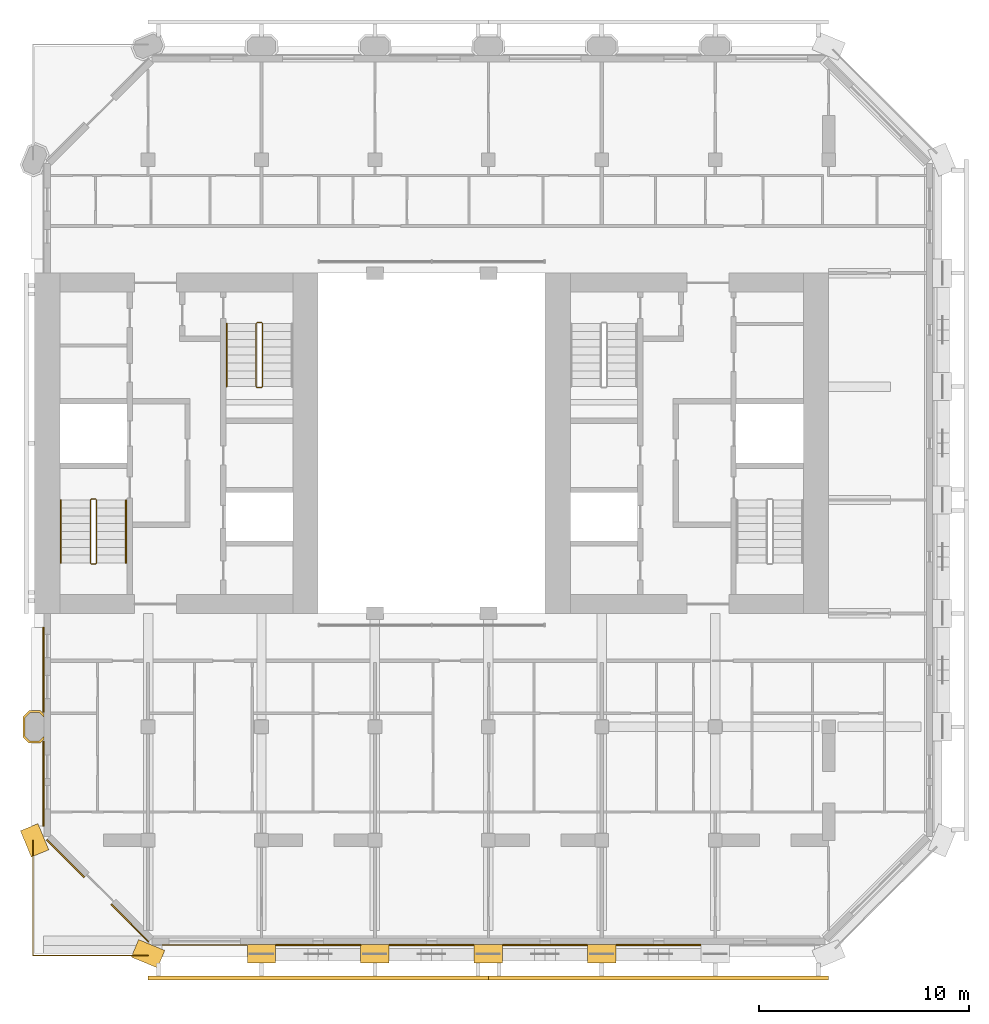
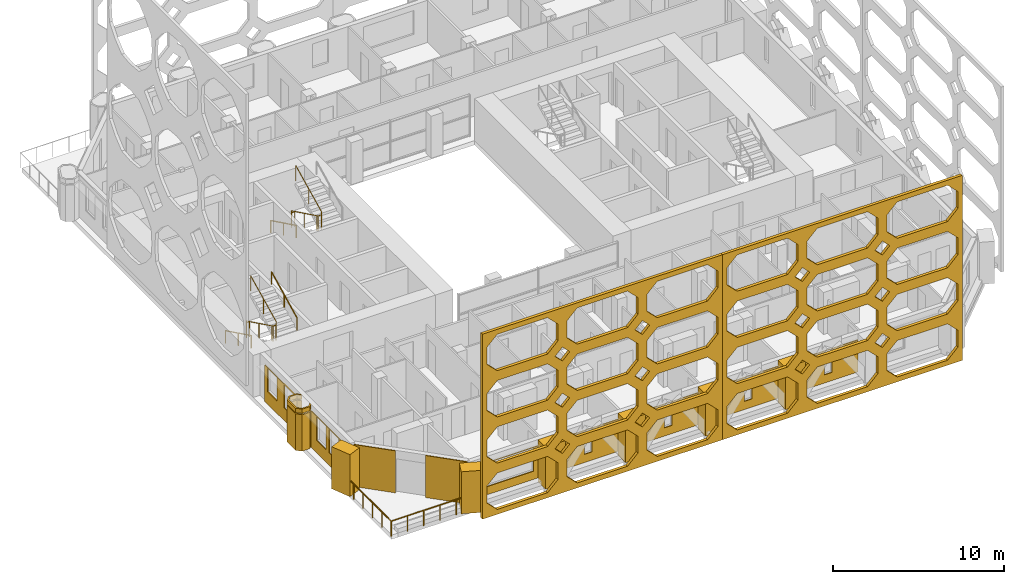
# One storey, part 13 of 15: 19 coverings, 6 railings.
"""IFC4 building model written with IfcOpenShell, lengths in metres."""

from ifc_helpers import new_model, si_unit, direction, frame, frame_2d, origin, origin_2d, place, context, subcontext, project, spatial, polyline, rectangle, circle, outline, extrude, material, layer, layer_set, type_object, element, save


model = new_model("IFC4")

# Units and contexts
model_context = context("Model", 3, precision=1e-05, world=origin(), true_north=direction((0.0, 1.0)))
body_context = subcontext(model_context, "Body", "Model", "MODEL_VIEW")
ifc_project = project(units=[si_unit("LENGTHUNIT", "METRE"), si_unit("AREAUNIT", "SQUARE_METRE"), si_unit("VOLUMEUNIT", "CUBIC_METRE"), si_unit("PLANEANGLEUNIT", "RADIAN"), si_unit("MASSUNIT", "GRAM", prefix="KILO")], contexts=[model_context])

# Site, building, storey
site_placement = place(None, origin())
site = spatial("IfcSite", under=ifc_project, at=site_placement, CompositionType="ELEMENT")
building_placement = place(site_placement, origin())
building = spatial("IfcBuilding", under=site, at=building_placement, Name="Tabaq Tower and Sports Hall", CompositionType="ELEMENT")
storey_placement = place(building_placement, frame((0.0, 0.0, 265.300048828125)))
storey = spatial("IfcBuildingStorey", under=building, at=storey_placement, Name="L64", CompositionType="ELEMENT", Elevation=265.300048828125)

# Coverings
ifc_material_1 = material(Name="Precast concrete C60/75", Category="concrete")
ifc_layer_1 = layer(ifc_material_1, 0.10009765625)
ifc_layer_set_1 = layer_set([ifc_layer_1], Name="Column cladding 100")
covering_type_1 = type_object("IfcCoveringType", Name="Column cladding 100", PredefinedType="CLADDING", material=ifc_layer_set_1)
covering_1_placement = place(storey_placement, origin())
element("IfcCovering", 1, at=covering_1_placement, inside=storey, type_object=covering_type_1, Name="Column cladding L64 PC-2C-R1", PredefinedType="CLADDING", context=body_context, shape_type="SweptSolid", body=[
    extrude(outline(polyline([(5.1337890625, 10.025390625), (4.850341796875, 10.30859375), (4.850341796875, 11.291259765625), (5.1337890625, 11.57470703125), (5.666259765625, 11.57470703125), (5.849609375, 11.391357421875), (5.849609375, 11.250732421875), (5.625244140625, 11.475341796875), (5.1748046875, 11.475341796875), (4.94970703125, 11.250244140625), (4.94970703125, 10.349853515625), (5.1748046875, 10.124755859375), (5.625244140625, 10.124755859375), (5.849609375, 10.349365234375), (5.849609375, 10.208740234375), (5.666259765625, 10.025390625), (5.1337890625, 10.025390625)])), origin(), (0.0, 0.0, 1.0), 2.599853515625),
])
covering_2_placement = place(storey_placement, frame((0.0, 0.0, 2.699951171875)))
element("IfcCovering", 2, at=covering_2_placement, inside=storey, type_object=covering_type_1, Name="Column cladding L64 PC-2C-R1 2", PredefinedType="CLADDING", context=body_context, shape_type="SweptSolid", body=[
    extrude(outline(polyline([(5.1337890625, 10.025390625), (4.850341796875, 10.30859375), (4.850341796875, 11.291259765625), (5.1337890625, 11.57470703125), (5.666259765625, 11.57470703125), (5.849609375, 11.391357421875), (5.849609375, 11.250732421875), (5.625244140625, 11.475341796875), (5.1748046875, 11.475341796875), (4.94970703125, 11.250244140625), (4.94970703125, 10.349853515625), (5.1748046875, 10.124755859375), (5.625244140625, 10.124755859375), (5.849609375, 10.349365234375), (5.849609375, 10.208740234375), (5.666259765625, 10.025390625), (5.1337890625, 10.025390625)])), origin(), (0.0, 0.0, 1.0), 0.300048828125),
])

# Railing
ifc_material_2 = material(Name="Stainless steel S316 and laminated glass", Category="steel")
railing_type_1 = type_object("IfcRailingType", Name="Guard 1100 steel and glass", PredefinedType="GUARDRAIL", material=ifc_material_2)
railing_1_placement = place(storey_placement, frame((10.800048828125, -0.080078125, 0.0)))
element("IfcRailing", 3, at=railing_1_placement, inside=storey, type_object=railing_type_1, Name="Terrace guard L64", PredefinedType="GUARDRAIL", context=body_context, shape_type="SweptSolid", body=[
    extrude(circle(Radius=0.02490234375, at=origin_2d()), frame((0.0, 0.0, 1.0751953125), z_axis=(-1.0, 0.0, 0.0), x_axis=(0.0, -1.0, 0.0)), (0.0, 0.0, 1.0), 5.47998046875),
    extrude(circle(Radius=0.02490234375, at=origin_2d()), frame((-5.47998046875, 0.0, 1.0751953125), z_axis=(0.0, 1.0, 0.0), x_axis=(-1.0, 0.0, 0.0)), (0.0, 0.0, 1.0), 5.47998046875),
    extrude(circle(Radius=0.02001953125, at=origin_2d()), origin(), (0.0, 0.0, 1.0), 1.050048828125),
    extrude(circle(Radius=0.02001953125, at=origin_2d()), frame((-1.095947265625, 0.0, 0.0)), (0.0, 0.0, 1.0), 1.050048828125),
    extrude(circle(Radius=0.02001953125, at=origin_2d()), frame((-2.19189453125, 0.0, 0.0)), (0.0, 0.0, 1.0), 1.050048828125),
    extrude(circle(Radius=0.02001953125, at=origin_2d()), frame((-3.2880859375, 0.0, 0.0)), (0.0, 0.0, 1.0), 1.050048828125),
    extrude(circle(Radius=0.02001953125, at=origin_2d()), frame((-4.384033203125, 0.0, 0.0)), (0.0, 0.0, 1.0), 1.050048828125),
    extrude(circle(Radius=0.02001953125, at=origin_2d()), frame((-5.47998046875, 0.0, 0.0)), (0.0, 0.0, 1.0), 1.050048828125),
    extrude(circle(Radius=0.02001953125, at=origin_2d()), frame((-5.47998046875, 1.095947265625, 0.0)), (0.0, 0.0, 1.0), 1.050048828125),
    extrude(circle(Radius=0.02001953125, at=origin_2d()), frame((-5.47998046875, 2.19189453125, 0.0)), (0.0, 0.0, 1.0), 1.050048828125),
    extrude(circle(Radius=0.02001953125, at=origin_2d()), frame((-5.47998046875, 3.2880859375, 0.0)), (0.0, 0.0, 1.0), 1.050048828125),
    extrude(circle(Radius=0.02001953125, at=origin_2d()), frame((-5.47998046875, 4.384033203125, 0.0)), (0.0, 0.0, 1.0), 1.050048828125),
    extrude(circle(Radius=0.02001953125, at=origin_2d()), frame((-5.47998046875, 5.47998046875, 0.0)), (0.0, 0.0, 1.0), 1.050048828125),
])

# Coverings
ifc_material_3 = material(Name="White precast concrete C60/75", Category="concrete")
covering_type_2 = type_object("IfcCoveringType", Name="Pier cladding hung 1350x900", PredefinedType="CLADDING", material=ifc_material_3)
for number, where, z_axis, x_axis, name in (
    (4, (5.1416015625, 6.023681640625, 0.0), (0.0, 0.0, 1.0), (0.382649923473, -0.923893411637, 0.0), "Hung pier cladding 1/1"),
    (5, (10.17626953125, 0.25830078125, 0.0), (0.0, 0.0, 1.0), (0.923893411637, -0.382649923473, 0.0), "Hung pier cladding 2/0"),
    (6, (15.52490234375, 0.0, 0.0), (0.0, 0.0, 1.0), (1.0, 0.0, 0.0), "Hung pier cladding 3/0"),
):
    element("IfcCovering", number, at=place(storey_placement, frame(where, z_axis=z_axis, x_axis=x_axis)), inside=storey, type_object=covering_type_2, Name=name, PredefinedType="CLADDING", context=body_context, shape_type="SweptSolid", body=[
        extrude(rectangle(XDim=1.35009765625, YDim=0.89990234375, at=frame_2d((0.675048828125, 0.0))), origin(), (0.0, 0.0, 1.0), 3.0),
    ])
covering_3_placement = place(storey_placement, frame((20.925048828125, 0.0, 0.0), z_axis=(0.0, 0.0, 1.0), x_axis=(1.0, 0.0, 0.0)))
element("IfcCovering", 7, at=covering_3_placement, inside=storey, type_object=covering_type_2, Name="Hung pier cladding 4/0", PredefinedType="CLADDING", context=body_context, shape_type="SweptSolid", body=[
    extrude(rectangle(XDim=1.349853515625, YDim=0.89990234375, at=frame_2d((0.6748046875, 0.0))), origin(), (0.0, 0.0, 1.0), 3.0),
])
covering_4_placement = place(storey_placement, frame((26.324951171875, 0.0, 0.0), z_axis=(0.0, 0.0, 1.0), x_axis=(1.0, 0.0, 0.0)))
element("IfcCovering", 8, at=covering_4_placement, inside=storey, type_object=covering_type_2, Name="Hung pier cladding 5/0", PredefinedType="CLADDING", context=body_context, shape_type="SweptSolid", body=[
    extrude(rectangle(XDim=1.35009765625, YDim=0.89990234375, at=frame_2d((0.675048828125, 0.0))), origin(), (0.0, 0.0, 1.0), 3.0),
])
covering_5_placement = place(storey_placement, frame((31.72509765625, 0.0, 0.0), z_axis=(0.0, 0.0, 1.0), x_axis=(1.0, 0.0, 0.0)))
element("IfcCovering", 9, at=covering_5_placement, inside=storey, type_object=covering_type_2, Name="Hung pier cladding 6/0", PredefinedType="CLADDING", context=body_context, shape_type="SweptSolid", body=[
    extrude(rectangle(XDim=1.349853515625, YDim=0.89990234375, at=frame_2d((0.6748046875, 0.0))), origin(), (0.0, 0.0, 1.0), 3.0),
])

# Railings
ifc_material_4 = material(Name="Stainless steel", Category="steel")
railing_type_2 = type_object("IfcRailingType", Name="Stair guard", PredefinedType="GUARDRAIL", material=ifc_material_4)
railing_2_placement = place(storey_placement, frame((8.300048828125, 21.64990234375, 0.0)))
element("IfcRailing", 10, at=railing_2_placement, inside=storey, type_object=railing_type_2, Name="L64 ST1 stair guard 1", PredefinedType="GUARDRAIL", context=body_context, shape_type="SweptSolid", body=[
    extrude(circle(Radius=0.02392578125, at=origin_2d()), frame((0.0, 0.0, 1.076171875), z_axis=(-1.0, 0.0, 0.0), x_axis=(0.0, -1.0, 0.0)), (0.0, 0.0, 1.0), 0.199951171875),
    extrude(circle(Radius=0.02392578125, at=origin_2d()), frame((-0.199951171875, 0.0, 1.076171875), z_axis=(-0.254733673405, -0.25349107012, 0.933195066962), x_axis=(0.705375805398, -0.708833529934, 0.0)), (0.0, 0.0, 1.0), 0.196533203125),
    extrude(circle(Radius=0.02392578125, at=origin_2d()), frame((-0.25, -0.0498046875, 1.25927734375), z_axis=(0.0, -0.898397823093, 0.439182594671), x_axis=(1.0, 0.0, 0.0)), (0.0, 0.0, 1.0), 3.33935546875),
    extrude(circle(Radius=0.02392578125, at=origin_2d()), frame((-0.25, -3.0498046875, 2.72607421875), z_axis=(0.707106781187, -0.707106781187, 0.0), x_axis=(0.707106781187, 0.707106781187, 0.0)), (0.0, 0.0, 1.0), 0.07080078125),
    extrude(circle(Radius=0.02392578125, at=origin_2d()), frame((-0.199951171875, -3.099853515625, 2.72607421875), z_axis=(1.0, 0.0, 0.0), x_axis=(0.0, 1.0, 0.0)), (0.0, 0.0, 1.0), 0.199951171875),
    extrude(circle(Radius=0.02392578125, at=origin_2d()), frame((0.0, -3.099853515625, 2.72607421875), z_axis=(0.254653276557, 0.254653276557, 0.932900539971), x_axis=(-0.707106781187, 0.707106781187, 0.0)), (0.0, 0.0, 1.0), 0.196533203125),
    extrude(circle(Radius=0.02392578125, at=origin_2d()), frame((0.050048828125, -3.0498046875, 2.9091796875), z_axis=(0.0, 0.898368975038, 0.439241601728), x_axis=(-1.0, 0.0, 0.0)), (0.0, 0.0, 1.0), 3.33935546875),
    extrude(circle(Radius=0.02099609375, at=origin_2d()), origin(), (0.0, 0.0, 1.0), 1.052001953125),
    extrude(circle(Radius=0.02099609375, at=origin_2d()), frame((-0.199951171875, 0.0, 0.0)), (0.0, 0.0, 1.0), 1.052001953125),
    extrude(circle(Radius=0.02099609375, at=origin_2d()), frame((-0.25, -0.0498046875, 0.183349609375)), (0.0, 0.0, 1.0), 1.052001953125),
    extrude(circle(Radius=0.02099609375, at=origin_2d()), frame((-0.25, -1.5498046875, 0.91650390625)), (0.0, 0.0, 1.0), 1.052001953125),
    extrude(circle(Radius=0.02099609375, at=origin_2d()), frame((-0.25, -3.0498046875, 1.64990234375)), (0.0, 0.0, 1.0), 1.052001953125),
    extrude(circle(Radius=0.02099609375, at=origin_2d()), frame((-0.199951171875, -3.099853515625, 1.64990234375)), (0.0, 0.0, 1.0), 1.052001953125),
    extrude(circle(Radius=0.02099609375, at=origin_2d()), frame((0.0, -3.099853515625, 1.64990234375)), (0.0, 0.0, 1.0), 1.052001953125),
    extrude(circle(Radius=0.02099609375, at=origin_2d()), frame((0.050048828125, -3.0498046875, 1.833251953125)), (0.0, 0.0, 1.0), 1.052001953125),
    extrude(circle(Radius=0.02099609375, at=origin_2d()), frame((0.050048828125, -1.5498046875, 2.566650390625)), (0.0, 0.0, 1.0), 1.052001953125),
    extrude(circle(Radius=0.02099609375, at=origin_2d()), frame((0.050048828125, -0.0498046875, 3.300048828125)), (0.0, 0.0, 1.0), 1.052001953125),
])
railing_3_placement = place(storey_placement, frame((16.199951171875, 30.050048828125, 0.0)))
element("IfcRailing", 11, at=railing_3_placement, inside=storey, type_object=railing_type_2, Name="L64 ST2 stair guard 1", PredefinedType="GUARDRAIL", context=body_context, shape_type="SweptSolid", body=[
    extrude(circle(Radius=0.02392578125, at=origin_2d()), frame((0.0, 0.0, 1.076171875), z_axis=(-1.0, 0.0, 0.0), x_axis=(0.0, -1.0, 0.0)), (0.0, 0.0, 1.0), 0.199951171875),
    extrude(circle(Radius=0.02392578125, at=origin_2d()), frame((-0.199951171875, 0.0, 1.076171875), z_axis=(-0.254653276557, -0.254653276557, 0.932900539971), x_axis=(0.707106781187, -0.707106781187, 0.0)), (0.0, 0.0, 1.0), 0.196533203125),
    extrude(circle(Radius=0.02392578125, at=origin_2d()), frame((-0.25, -0.050048828125, 1.25927734375), z_axis=(0.0, -0.898397823093, 0.439182594671), x_axis=(1.0, 0.0, 0.0)), (0.0, 0.0, 1.0), 3.33935546875),
    extrude(circle(Radius=0.02392578125, at=origin_2d()), frame((-0.25, -3.050048828125, 2.72607421875), z_axis=(0.707106781187, -0.707106781187, 0.0), x_axis=(0.707106781187, 0.707106781187, 0.0)), (0.0, 0.0, 1.0), 0.07080078125),
    extrude(circle(Radius=0.02392578125, at=origin_2d()), frame((-0.199951171875, -3.10009765625, 2.72607421875), z_axis=(1.0, 0.0, 0.0), x_axis=(0.0, 1.0, 0.0)), (0.0, 0.0, 1.0), 0.199951171875),
    extrude(circle(Radius=0.02392578125, at=origin_2d()), frame((0.0, -3.10009765625, 2.72607421875), z_axis=(0.254653276557, 0.254653276557, 0.932900539971), x_axis=(-0.707106781187, 0.707106781187, 0.0)), (0.0, 0.0, 1.0), 0.196533203125),
    extrude(circle(Radius=0.02392578125, at=origin_2d()), frame((0.050048828125, -3.050048828125, 2.9091796875), z_axis=(0.0, 0.898368975038, 0.439241601728), x_axis=(-1.0, 0.0, 0.0)), (0.0, 0.0, 1.0), 3.33935546875),
    extrude(circle(Radius=0.02099609375, at=origin_2d()), origin(), (0.0, 0.0, 1.0), 1.052001953125),
    extrude(circle(Radius=0.02099609375, at=origin_2d()), frame((-0.199951171875, 0.0, 0.0)), (0.0, 0.0, 1.0), 1.052001953125),
    extrude(circle(Radius=0.02099609375, at=origin_2d()), frame((-0.25, -0.050048828125, 0.183349609375)), (0.0, 0.0, 1.0), 1.052001953125),
    extrude(circle(Radius=0.02099609375, at=origin_2d()), frame((-0.25, -1.550048828125, 0.91650390625)), (0.0, 0.0, 1.0), 1.052001953125),
    extrude(circle(Radius=0.02099609375, at=origin_2d()), frame((-0.25, -3.050048828125, 1.64990234375)), (0.0, 0.0, 1.0), 1.052001953125),
    extrude(circle(Radius=0.02099609375, at=origin_2d()), frame((-0.199951171875, -3.10009765625, 1.64990234375)), (0.0, 0.0, 1.0), 1.052001953125),
    extrude(circle(Radius=0.02099609375, at=origin_2d()), frame((0.0, -3.10009765625, 1.64990234375)), (0.0, 0.0, 1.0), 1.052001953125),
    extrude(circle(Radius=0.02099609375, at=origin_2d()), frame((0.050048828125, -3.050048828125, 1.833251953125)), (0.0, 0.0, 1.0), 1.052001953125),
    extrude(circle(Radius=0.02099609375, at=origin_2d()), frame((0.050048828125, -1.550048828125, 2.566650390625)), (0.0, 0.0, 1.0), 1.052001953125),
    extrude(circle(Radius=0.02099609375, at=origin_2d()), frame((0.050048828125, -0.050048828125, 3.300048828125)), (0.0, 0.0, 1.0), 1.052001953125),
])
ifc_material_5 = material(Name="Stainless steel", Category="steel")
railing_type_3 = type_object("IfcRailingType", Name="Stair handrail", PredefinedType="HANDRAIL", material=ifc_material_5)
railing_4_placement = place(storey_placement, frame((6.64990234375, 21.60009765625, 0.183349609375)))
element("IfcRailing", 12, at=railing_4_placement, inside=storey, type_object=railing_type_3, Name="L64 ST1 stair handrail 1", PredefinedType="HANDRAIL", context=body_context, shape_type="SweptSolid", body=[
    extrude(circle(Radius=0.02392578125, at=origin_2d()), frame((0.0, 0.0, 0.8759765625), z_axis=(0.0, -0.898397823093, 0.439182594671), x_axis=(1.0, 0.0, 0.0)), (0.0, 0.0, 1.0), 3.33935546875),
    extrude(circle(Radius=0.02099609375, at=origin_2d()), origin(), (0.0, 0.0, 1.0), 0.851806640625),
    extrude(circle(Radius=0.02099609375, at=origin_2d()), frame((0.0, -1.5, 0.7333984375)), (0.0, 0.0, 1.0), 0.851806640625),
    extrude(circle(Radius=0.02099609375, at=origin_2d()), frame((0.0, -3.0, 1.466552734375)), (0.0, 0.0, 1.0), 0.851806640625),
])
railing_5_placement = place(storey_placement, frame((9.75, 18.60009765625, 1.833251953125)))
element("IfcRailing", 13, at=railing_5_placement, inside=storey, type_object=railing_type_3, Name="L64 ST1 stair handrail 2", PredefinedType="HANDRAIL", context=body_context, shape_type="SweptSolid", body=[
    extrude(circle(Radius=0.02392578125, at=origin_2d()), frame((0.0, 0.0, 0.8759765625), z_axis=(0.0, 0.898368975038, 0.439241601728), x_axis=(-1.0, 0.0, 0.0)), (0.0, 0.0, 1.0), 3.33935546875),
    extrude(circle(Radius=0.02099609375, at=origin_2d()), origin(), (0.0, 0.0, 1.0), 0.851806640625),
    extrude(circle(Radius=0.02099609375, at=origin_2d()), frame((0.0, 1.5, 0.7333984375)), (0.0, 0.0, 1.0), 0.851806640625),
    extrude(circle(Radius=0.02099609375, at=origin_2d()), frame((0.0, 3.0, 1.466796875)), (0.0, 0.0, 1.0), 0.851806640625),
])
railing_6_placement = place(storey_placement, frame((14.550048828125, 30.0, 0.183349609375)))
element("IfcRailing", 14, at=railing_6_placement, inside=storey, type_object=railing_type_3, Name="L64 ST2 stair handrail 1", PredefinedType="HANDRAIL", context=body_context, shape_type="SweptSolid", body=[
    extrude(circle(Radius=0.02392578125, at=origin_2d()), frame((0.0, 0.0, 0.8759765625), z_axis=(0.0, -0.898397823093, 0.439182594671), x_axis=(1.0, 0.0, 0.0)), (0.0, 0.0, 1.0), 3.33935546875),
    extrude(circle(Radius=0.02099609375, at=origin_2d()), origin(), (0.0, 0.0, 1.0), 0.851806640625),
    extrude(circle(Radius=0.02099609375, at=origin_2d()), frame((0.0, -1.5, 0.7333984375)), (0.0, 0.0, 1.0), 0.851806640625),
    extrude(circle(Radius=0.02099609375, at=origin_2d()), frame((0.0, -3.0, 1.466552734375)), (0.0, 0.0, 1.0), 0.851806640625),
])

# Coverings
ifc_material_6 = material(Name="White precast concrete C60/75 pierced screen", Category="concrete")
ifc_layer_2 = layer(ifc_material_6, 0.199951171875)
ifc_layer_set_2 = layer_set([ifc_layer_2], Name="TRACERY SCREEN 200 C60/75")
covering_type_3 = type_object("IfcCoveringType", Name="TRACERY SCREEN 200 C60/75", PredefinedType="CLADDING", material=ifc_layer_set_2)
covering_6_placement = place(storey_placement, frame((10.800048828125, -1.14990234375, 0.0), z_axis=(0.0, 0.0, 1.0), x_axis=(1.0, 0.0, 0.0)))
element("IfcCovering", 15, at=covering_6_placement, inside=storey, type_object=covering_type_3, Name="Tracery screen R1 S L64-L67", PredefinedType="CLADDING", context=body_context, shape_type="SweptSolid", body=[
    extrude(outline(polyline([(0.0, 0.0), (16.199951171875, 0.0), (16.199951171875, 13.199951171875), (0.0, 13.199951171875), (0.0, 0.0)]), holes=[polyline([(1.0, 0.349853515625), (4.39990234375, 0.349853515625), (5.10009765625, 1.050048828125), (5.10009765625, 2.25), (4.39990234375, 2.949951171875), (1.0, 2.949951171875), (0.300048828125, 2.25), (0.300048828125, 1.050048828125), (1.0, 0.349853515625)]), polyline([(6.39990234375, 0.349853515625), (9.800048828125, 0.349853515625), (10.5, 1.050048828125), (10.5, 2.25), (9.800048828125, 2.949951171875), (6.39990234375, 2.949951171875), (5.699951171875, 2.25), (5.699951171875, 1.050048828125), (6.39990234375, 0.349853515625)]), polyline([(11.800048828125, 0.349853515625), (15.199951171875, 0.349853515625), (15.89990234375, 1.050048828125), (15.89990234375, 2.25), (15.199951171875, 2.949951171875), (11.800048828125, 2.949951171875), (11.10009765625, 2.25), (11.10009765625, 1.050048828125), (11.800048828125, 0.349853515625)]), polyline([(1.0, 3.64990234375), (4.39990234375, 3.64990234375), (5.10009765625, 4.349853515625), (5.10009765625, 5.550048828125), (4.39990234375, 6.25), (1.0, 6.25), (0.300048828125, 5.550048828125), (0.300048828125, 4.349853515625), (1.0, 3.64990234375)]), polyline([(6.39990234375, 3.64990234375), (9.800048828125, 3.64990234375), (10.5, 4.349853515625), (10.5, 5.550048828125), (9.800048828125, 6.25), (6.39990234375, 6.25), (5.699951171875, 5.550048828125), (5.699951171875, 4.349853515625), (6.39990234375, 3.64990234375)]), polyline([(11.800048828125, 3.64990234375), (15.199951171875, 3.64990234375), (15.89990234375, 4.349853515625), (15.89990234375, 5.550048828125), (15.199951171875, 6.25), (11.800048828125, 6.25), (11.10009765625, 5.550048828125), (11.10009765625, 4.349853515625), (11.800048828125, 3.64990234375)]), polyline([(1.0, 6.949951171875), (4.39990234375, 6.949951171875), (5.10009765625, 7.64990234375), (5.10009765625, 8.849853515625), (4.39990234375, 9.550048828125), (1.0, 9.550048828125), (0.300048828125, 8.849853515625), (0.300048828125, 7.64990234375), (1.0, 6.949951171875)]), polyline([(6.39990234375, 6.949951171875), (9.800048828125, 6.949951171875), (10.5, 7.64990234375), (10.5, 8.849853515625), (9.800048828125, 9.550048828125), (6.39990234375, 9.550048828125), (5.699951171875, 8.849853515625), (5.699951171875, 7.64990234375), (6.39990234375, 6.949951171875)]), polyline([(11.800048828125, 6.949951171875), (15.199951171875, 6.949951171875), (15.89990234375, 7.64990234375), (15.89990234375, 8.849853515625), (15.199951171875, 9.550048828125), (11.800048828125, 9.550048828125), (11.10009765625, 8.849853515625), (11.10009765625, 7.64990234375), (11.800048828125, 6.949951171875)]), polyline([(1.0, 10.25), (4.39990234375, 10.25), (5.10009765625, 10.949951171875), (5.10009765625, 12.14990234375), (4.39990234375, 12.849853515625), (1.0, 12.849853515625), (0.300048828125, 12.14990234375), (0.300048828125, 10.949951171875), (1.0, 10.25)]), polyline([(6.39990234375, 10.25), (9.800048828125, 10.25), (10.5, 10.949951171875), (10.5, 12.14990234375), (9.800048828125, 12.849853515625), (6.39990234375, 12.849853515625), (5.699951171875, 12.14990234375), (5.699951171875, 10.949951171875), (6.39990234375, 10.25)]), polyline([(11.800048828125, 10.25), (15.199951171875, 10.25), (15.89990234375, 10.949951171875), (15.89990234375, 12.14990234375), (15.199951171875, 12.849853515625), (11.800048828125, 12.849853515625), (11.10009765625, 12.14990234375), (11.10009765625, 10.949951171875), (11.800048828125, 10.25)]), polyline([(5.89990234375, 3.300048828125), (5.39990234375, 3.800048828125), (4.89990234375, 3.300048828125), (5.39990234375, 2.800048828125), (5.89990234375, 3.300048828125)]), polyline([(11.300048828125, 3.300048828125), (10.800048828125, 3.800048828125), (10.300048828125, 3.300048828125), (10.800048828125, 2.800048828125), (11.300048828125, 3.300048828125)]), polyline([(5.89990234375, 6.599853515625), (5.39990234375, 7.099853515625), (4.89990234375, 6.599853515625), (5.39990234375, 6.099853515625), (5.89990234375, 6.599853515625)]), polyline([(11.300048828125, 6.599853515625), (10.800048828125, 7.099853515625), (10.300048828125, 6.599853515625), (10.800048828125, 6.099853515625), (11.300048828125, 6.599853515625)]), polyline([(5.89990234375, 9.89990234375), (5.39990234375, 10.39990234375), (4.89990234375, 9.89990234375), (5.39990234375, 9.39990234375), (5.89990234375, 9.89990234375)]), polyline([(11.300048828125, 9.89990234375), (10.800048828125, 10.39990234375), (10.300048828125, 9.89990234375), (10.800048828125, 9.39990234375), (11.300048828125, 9.89990234375)])]), frame((0.0, 0.10009765625, 0.0), z_axis=(0.0, -1.0, 0.0), x_axis=(1.0, 0.0, 0.0)), (0.0, 0.0, 1.0), 0.199951171875),
])
covering_7_placement = place(storey_placement, frame((27.0, -1.14990234375, 0.0), z_axis=(0.0, 0.0, 1.0), x_axis=(1.0, 0.0, 0.0)))
element("IfcCovering", 16, at=covering_7_placement, inside=storey, type_object=covering_type_3, Name="Tracery screen R1 S L64-L67", PredefinedType="CLADDING", context=body_context, shape_type="SweptSolid", body=[
    extrude(outline(polyline([(0.0, 0.0), (16.199951171875, 0.0), (16.199951171875, 13.199951171875), (0.0, 13.199951171875), (0.0, 0.0)]), holes=[polyline([(1.0, 0.349853515625), (4.39990234375, 0.349853515625), (5.10009765625, 1.050048828125), (5.10009765625, 2.25), (4.39990234375, 2.949951171875), (1.0, 2.949951171875), (0.300048828125, 2.25), (0.300048828125, 1.050048828125), (1.0, 0.349853515625)]), polyline([(6.39990234375, 0.349853515625), (9.800048828125, 0.349853515625), (10.5, 1.050048828125), (10.5, 2.25), (9.800048828125, 2.949951171875), (6.39990234375, 2.949951171875), (5.699951171875, 2.25), (5.699951171875, 1.050048828125), (6.39990234375, 0.349853515625)]), polyline([(11.800048828125, 0.349853515625), (15.199951171875, 0.349853515625), (15.89990234375, 1.050048828125), (15.89990234375, 2.25), (15.199951171875, 2.949951171875), (11.800048828125, 2.949951171875), (11.10009765625, 2.25), (11.10009765625, 1.050048828125), (11.800048828125, 0.349853515625)]), polyline([(1.0, 3.64990234375), (4.39990234375, 3.64990234375), (5.10009765625, 4.349853515625), (5.10009765625, 5.550048828125), (4.39990234375, 6.25), (1.0, 6.25), (0.300048828125, 5.550048828125), (0.300048828125, 4.349853515625), (1.0, 3.64990234375)]), polyline([(6.39990234375, 3.64990234375), (9.800048828125, 3.64990234375), (10.5, 4.349853515625), (10.5, 5.550048828125), (9.800048828125, 6.25), (6.39990234375, 6.25), (5.699951171875, 5.550048828125), (5.699951171875, 4.349853515625), (6.39990234375, 3.64990234375)]), polyline([(11.800048828125, 3.64990234375), (15.199951171875, 3.64990234375), (15.89990234375, 4.349853515625), (15.89990234375, 5.550048828125), (15.199951171875, 6.25), (11.800048828125, 6.25), (11.10009765625, 5.550048828125), (11.10009765625, 4.349853515625), (11.800048828125, 3.64990234375)]), polyline([(1.0, 6.949951171875), (4.39990234375, 6.949951171875), (5.10009765625, 7.64990234375), (5.10009765625, 8.849853515625), (4.39990234375, 9.550048828125), (1.0, 9.550048828125), (0.300048828125, 8.849853515625), (0.300048828125, 7.64990234375), (1.0, 6.949951171875)]), polyline([(6.39990234375, 6.949951171875), (9.800048828125, 6.949951171875), (10.5, 7.64990234375), (10.5, 8.849853515625), (9.800048828125, 9.550048828125), (6.39990234375, 9.550048828125), (5.699951171875, 8.849853515625), (5.699951171875, 7.64990234375), (6.39990234375, 6.949951171875)]), polyline([(11.800048828125, 6.949951171875), (15.199951171875, 6.949951171875), (15.89990234375, 7.64990234375), (15.89990234375, 8.849853515625), (15.199951171875, 9.550048828125), (11.800048828125, 9.550048828125), (11.10009765625, 8.849853515625), (11.10009765625, 7.64990234375), (11.800048828125, 6.949951171875)]), polyline([(1.0, 10.25), (4.39990234375, 10.25), (5.10009765625, 10.949951171875), (5.10009765625, 12.14990234375), (4.39990234375, 12.849853515625), (1.0, 12.849853515625), (0.300048828125, 12.14990234375), (0.300048828125, 10.949951171875), (1.0, 10.25)]), polyline([(6.39990234375, 10.25), (9.800048828125, 10.25), (10.5, 10.949951171875), (10.5, 12.14990234375), (9.800048828125, 12.849853515625), (6.39990234375, 12.849853515625), (5.699951171875, 12.14990234375), (5.699951171875, 10.949951171875), (6.39990234375, 10.25)]), polyline([(11.800048828125, 10.25), (15.199951171875, 10.25), (15.89990234375, 10.949951171875), (15.89990234375, 12.14990234375), (15.199951171875, 12.849853515625), (11.800048828125, 12.849853515625), (11.10009765625, 12.14990234375), (11.10009765625, 10.949951171875), (11.800048828125, 10.25)]), polyline([(5.89990234375, 3.300048828125), (5.39990234375, 3.800048828125), (4.89990234375, 3.300048828125), (5.39990234375, 2.800048828125), (5.89990234375, 3.300048828125)]), polyline([(11.300048828125, 3.300048828125), (10.800048828125, 3.800048828125), (10.300048828125, 3.300048828125), (10.800048828125, 2.800048828125), (11.300048828125, 3.300048828125)]), polyline([(5.89990234375, 6.599853515625), (5.39990234375, 7.099853515625), (4.89990234375, 6.599853515625), (5.39990234375, 6.099853515625), (5.89990234375, 6.599853515625)]), polyline([(11.300048828125, 6.599853515625), (10.800048828125, 7.099853515625), (10.300048828125, 6.599853515625), (10.800048828125, 6.099853515625), (11.300048828125, 6.599853515625)]), polyline([(5.89990234375, 9.89990234375), (5.39990234375, 10.39990234375), (4.89990234375, 9.89990234375), (5.39990234375, 9.39990234375), (5.89990234375, 9.89990234375)]), polyline([(11.300048828125, 9.89990234375), (10.800048828125, 10.39990234375), (10.300048828125, 9.89990234375), (10.800048828125, 9.39990234375), (11.300048828125, 9.89990234375)])]), frame((0.0, 0.10009765625, 0.0), z_axis=(0.0, -1.0, 0.0), x_axis=(1.0, 0.0, 0.0)), (0.0, 0.0, 1.0), 0.199951171875),
])
ifc_material_7 = material(Name="Precast concrete C60/75", Category="concrete")
ifc_layer_3 = layer(ifc_material_7, 0.06005859375)
ifc_layer_set_3 = layer_set([ifc_layer_3], Name="White precast cladding panel 60 C60/75")
covering_type_4 = type_object("IfcCoveringType", Name="White precast cladding panel 60 C60/75", PredefinedType="CLADDING", material=ifc_layer_set_3)
covering_8_placement = place(storey_placement, frame((11.465087890625, 0.419921875, 0.31005859375), z_axis=(0.0, 0.0, 1.0), x_axis=(1.0, 0.0, 0.0)))
element("IfcCovering", 17, at=covering_8_placement, inside=storey, type_object=covering_type_4, Name="White precast cladding panel L64 wall00", PredefinedType="CLADDING", context=body_context, shape_type="SweptSolid", body=[
    extrude(outline(polyline([(0.0, 0.0), (4.0498046875, 0.0), (4.0498046875, 2.27978515625), (0.0, 2.27978515625), (0.0, 0.0)]), holes=[polyline([(3.7451171875, 0.579833984375), (0.324951171875, 0.579833984375), (0.324951171875, 2.25), (3.7451171875, 2.25), (3.7451171875, 0.579833984375)])]), frame((0.0, 0.030029296875, 0.0), z_axis=(0.0, -1.0, 0.0), x_axis=(1.0, 0.0, 0.0)), (0.0, 0.0, 1.0), 0.06005859375),
])
for number, where, z_axis, x_axis, name in (
    (18, (16.885009765625, 0.419921875, 0.31005859375), (0.0, 0.0, 1.0), (1.0, 0.0, 0.0), "White precast cladding panel L64 wall00 2"),
    (19, (22.284912109375, 0.419921875, 0.31005859375), (0.0, 0.0, 1.0), (1.0, 0.0, 0.0), "White precast cladding panel L64 wall00 3"),
    (20, (27.68505859375, 0.419921875, 0.31005859375), (0.0, 0.0, 1.0), (1.0, 0.0, 0.0), "White precast cladding panel L64 wall00 4"),
    (21, (33.0849609375, 0.419921875, 0.31005859375), (0.0, 0.0, 1.0), (1.0, 0.0, 0.0), "White precast cladding panel L64 wall00 5"),
):
    element("IfcCovering", number, at=place(storey_placement, frame(where, z_axis=z_axis, x_axis=x_axis)), inside=storey, type_object=covering_type_4, Name=name, PredefinedType="CLADDING", context=body_context, shape_type="SweptSolid", body=[
        extrude(outline(polyline([(0.0, 0.0), (4.030029296875, 0.0), (4.030029296875, 2.27978515625), (0.0, 2.27978515625), (0.0, 0.0)]), holes=[polyline([(2.27490234375, 0.579833984375), (1.7548828125, 0.579833984375), (1.7548828125, 2.25), (2.27490234375, 2.25), (2.27490234375, 0.579833984375)])]), frame((0.0, 0.030029296875, 0.0), z_axis=(0.0, -1.0, 0.0), x_axis=(1.0, 0.0, 0.0)), (0.0, 0.0, 1.0), 0.06005859375),
    ])
covering_9_placement = place(storey_placement, frame((5.820068359375, 15.534912109375, 0.0), z_axis=(0.0, 0.0, 1.0), x_axis=(0.0, -1.0, 0.0)))
element("IfcCovering", 22, at=covering_9_placement, inside=storey, type_object=covering_type_4, Name="White precast cladding panel L64 wall06-1", PredefinedType="CLADDING", context=body_context, shape_type="SweptSolid", body=[
    extrude(outline(polyline([(0.0, 0.0), (4.0498046875, 0.0), (4.0498046875, 2.58984375), (0.0, 2.58984375), (0.0, 0.0)]), holes=[polyline([(0.324951171875, 0.889892578125), (0.324951171875, 2.56005859375), (1.445068359375, 2.56005859375), (1.445068359375, 0.889892578125), (0.324951171875, 0.889892578125)]), polyline([(2.27490234375, 0.889892578125), (2.27490234375, 2.56005859375), (3.39501953125, 2.56005859375), (3.39501953125, 0.889892578125), (2.27490234375, 0.889892578125)])]), frame((0.0, 0.030029296875, 0.0), z_axis=(0.0, -1.0, 0.0), x_axis=(1.0, 0.0, 0.0)), (0.0, 0.0, 1.0), 0.06005859375),
])
covering_10_placement = place(storey_placement, frame((5.820068359375, 10.114990234375, 0.0), z_axis=(0.0, 0.0, 1.0), x_axis=(0.0, -1.0, 0.0)))
element("IfcCovering", 23, at=covering_10_placement, inside=storey, type_object=covering_type_4, Name="White precast cladding panel L64 wall06-1 2", PredefinedType="CLADDING", context=body_context, shape_type="SweptSolid", body=[
    extrude(outline(polyline([(0.0, 0.0), (4.050048828125, 0.0), (4.050048828125, 2.58984375), (0.0, 2.58984375), (0.0, 0.0)]), holes=[polyline([(0.655029296875, 0.889892578125), (0.655029296875, 2.56005859375), (1.77490234375, 2.56005859375), (1.77490234375, 0.889892578125), (0.655029296875, 0.889892578125)]), polyline([(2.10498046875, 0.889892578125), (2.10498046875, 2.56005859375), (3.22509765625, 2.56005859375), (3.22509765625, 0.889892578125), (2.10498046875, 0.889892578125)])]), frame((0.0, 0.030029296875, 0.0), z_axis=(0.0, -1.0, 0.0), x_axis=(1.0, 0.0, 0.0)), (0.0, 0.0, 1.0), 0.06005859375),
])
covering_11_placement = place(storey_placement, frame((5.9716796875, 5.42236328125, 0.0), z_axis=(0.0, 0.0, 1.0), x_axis=(0.707058337602, -0.707155221452, 0.0)))
element("IfcCovering", 24, at=covering_11_placement, inside=storey, type_object=covering_type_4, Name="White precast cladding panel L64 wall07", PredefinedType="CLADDING", context=body_context, shape_type="SweptSolid", body=[
    extrude(rectangle(XDim=2.52001953125, YDim=0.06005859375, at=frame_2d((1.260009765625, 0.0))), origin(), (0.0, 0.0, 1.0), 3.0),
])
covering_12_placement = place(storey_placement, frame((9.04052734375, 2.353515625, 0.0), z_axis=(0.0, 0.0, 1.0), x_axis=(0.707106781187, -0.707106781187, 0.0)))
element("IfcCovering", 25, at=covering_12_placement, inside=storey, type_object=covering_type_4, Name="White precast cladding panel L64 wall07 2", PredefinedType="CLADDING", context=body_context, shape_type="SweptSolid", body=[
    extrude(rectangle(XDim=2.519775390625, YDim=0.06005859375, at=frame_2d((1.259765625, 0.0))), origin(), (0.0, 0.0, 1.0), 3.0),
])

save(model, "model.ifc")
